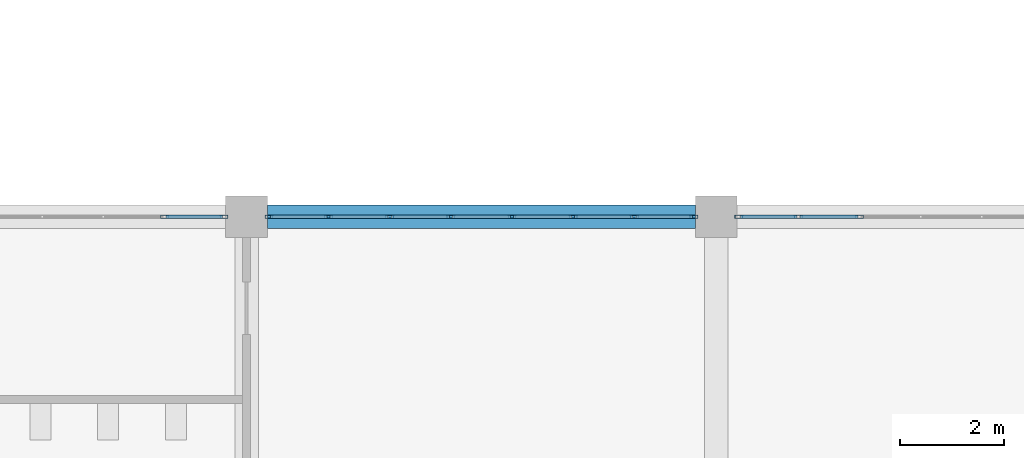
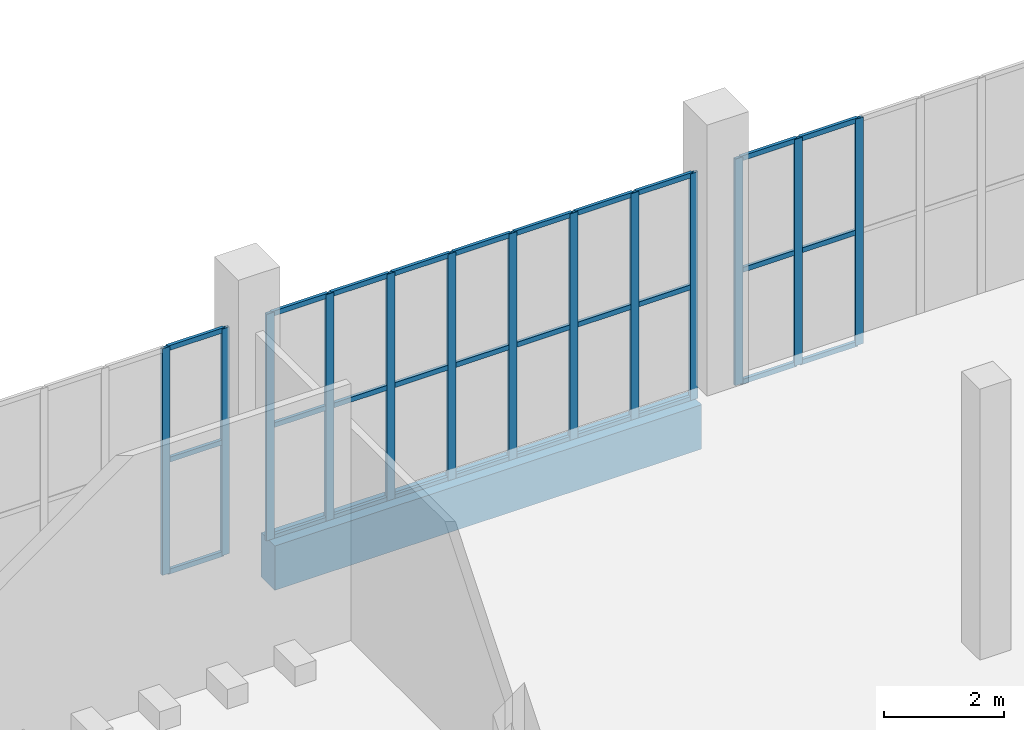
# One storey, part 33 of 185: 43 members, 1 beam, 3 elements without a shape of their own.
"""IFC4 building model written with IfcOpenShell, lengths in metres."""

from ifc_helpers import new_model, si_unit, direction, frame, origin, origin_2d, place, context, subcontext, project, spatial, rectangle, hollow_rectangle, extrude, material, layer, layer_set, material_profile, profile_set, type_object, element, aggregate, save


model = new_model("IFC4")

# Units and contexts
model_context = context("Model", 3, precision=1e-05, world=origin(), true_north=direction((0.0, 1.0)))
body_context = subcontext(model_context, "Body", "Model", "MODEL_VIEW")
ifc_project = project(units=[si_unit("LENGTHUNIT", "METRE"), si_unit("AREAUNIT", "SQUARE_METRE"), si_unit("VOLUMEUNIT", "CUBIC_METRE"), si_unit("PLANEANGLEUNIT", "RADIAN"), si_unit("MASSUNIT", "GRAM", prefix="KILO")], contexts=[model_context])

# Site, building, storey
site_placement = place(None, origin())
site = spatial("IfcSite", under=ifc_project, at=site_placement, CompositionType="ELEMENT")
building_placement = place(site_placement, origin())
building = spatial("IfcBuilding", under=site, at=building_placement, Name="Opaline Strait Convention Centre", CompositionType="ELEMENT")
storey_placement = place(building_placement, frame((0.0, 0.0, 6.0)))
storey = spatial("IfcBuildingStorey", under=building, at=storey_placement, Name="L01", CompositionType="ELEMENT", Elevation=6.0)

# Curtain wall, members
ifc_material_1 = material(Name="Aluminium framed double glazing", Category="aluminium")
ifc_layer = layer(ifc_material_1, 0.199951171875)
ifc_layer_set = layer_set([ifc_layer], Name="Aluminium framed double glazing")
curtain_wall_type = type_object("IfcCurtainWallType", Name="Curtain wall 1250", PredefinedType="NOTDEFINED", material=ifc_layer_set)
curtain_wall_1_placement = place(storey_placement, origin())
curtain_wall_1 = element("IfcCurtainWall", 1, at=curtain_wall_1_placement, inside=storey, type_object=curtain_wall_type, Name="Curtain wall N-18-L01", PredefinedType="NOTDEFINED")
ifc_material_2 = material(Name="Aluminium alloy 6063", Category="aluminium")
ifc_material_profile_1 = material_profile(ifc_material_2, hollow_rectangle(XDim=0.06005859375, YDim=0.14990234375, WallThickness=0.00390625, at=origin_2d()), Name="MULLION 60x150x4")
ifc_profile_set_1 = profile_set([ifc_material_profile_1], Name="Aluminium alloy 6063")
member_type_1 = type_object("IfcMemberType", Name="Curtain wall mullion 60 x 150", PredefinedType="MULLION", material=ifc_profile_set_1)
member_1_placement = place(storey_placement, frame((25.4287109375, 180.0, -0.280029296875), z_axis=(0.0, 0.0, 1.0), x_axis=(0.0, 1.0, 0.0)))
member_1 = element("IfcMember", 2, at=member_1_placement, type_object=member_type_1, Name="PCW mullion 7", PredefinedType="MULLION", context=body_context, shape_type="SweptSolid", body=[
    extrude(hollow_rectangle(XDim=0.06005859375, YDim=0.14990234375, WallThickness=0.00390625, at=origin_2d()), origin(), (0.0, 0.0, 1.0), 4.60009765625),
])
member_2_placement = place(storey_placement, frame((26.570068359375, 180.0, -0.280029296875), z_axis=(0.0, 0.0, 1.0), x_axis=(0.0, 1.0, 0.0)))
member_2 = element("IfcMember", 3, at=member_2_placement, type_object=member_type_1, Name="PCW mullion 8", PredefinedType="MULLION", context=body_context, shape_type="SweptSolid", body=[
    extrude(hollow_rectangle(XDim=0.06005859375, YDim=0.14990234375, WallThickness=0.00390625, at=origin_2d()), origin(), (0.0, 0.0, 1.0), 4.60009765625),
])

curtain_wall_2_placement = place(storey_placement, origin())
curtain_wall_2 = element("IfcCurtainWall", 4, at=curtain_wall_2_placement, inside=storey, type_object=curtain_wall_type, Name="Curtain wall N-27-L01", PredefinedType="NOTDEFINED")
member_3_placement = place(storey_placement, frame((27.429931640625, 180.0, -0.280029296875), z_axis=(0.0, 0.0, 1.0), x_axis=(0.0, 1.0, 0.0)))
member_3 = element("IfcMember", 5, at=member_3_placement, type_object=member_type_1, Name="PCW mullion 1", PredefinedType="MULLION", context=body_context, shape_type="SweptSolid", body=[
    extrude(hollow_rectangle(XDim=0.06005859375, YDim=0.14990234375, WallThickness=0.00390625, at=origin_2d()), origin(), (0.0, 0.0, 1.0), 4.60009765625),
])
member_4_placement = place(storey_placement, frame((28.5712890625, 180.0, -0.280029296875), z_axis=(0.0, 0.0, 1.0), x_axis=(0.0, 1.0, 0.0)))
member_4 = element("IfcMember", 6, at=member_4_placement, type_object=member_type_1, Name="PCW mullion 2", PredefinedType="MULLION", context=body_context, shape_type="SweptSolid", body=[
    extrude(hollow_rectangle(XDim=0.06005859375, YDim=0.14990234375, WallThickness=0.00390625, at=origin_2d()), origin(), (0.0, 0.0, 1.0), 4.60009765625),
])
member_5_placement = place(storey_placement, frame((29.742919921875, 180.0, -0.280029296875), z_axis=(0.0, 0.0, 1.0), x_axis=(0.0, 1.0, 0.0)))
member_5 = element("IfcMember", 7, at=member_5_placement, type_object=member_type_1, Name="PCW mullion 3", PredefinedType="MULLION", context=body_context, shape_type="SweptSolid", body=[
    extrude(hollow_rectangle(XDim=0.06005859375, YDim=0.14990234375, WallThickness=0.00390625, at=origin_2d()), origin(), (0.0, 0.0, 1.0), 4.60009765625),
])
member_6_placement = place(storey_placement, frame((30.914306640625, 180.0, -0.280029296875), z_axis=(0.0, 0.0, 1.0), x_axis=(0.0, 1.0, 0.0)))
member_6 = element("IfcMember", 8, at=member_6_placement, type_object=member_type_1, Name="PCW mullion 4", PredefinedType="MULLION", context=body_context, shape_type="SweptSolid", body=[
    extrude(hollow_rectangle(XDim=0.06005859375, YDim=0.14990234375, WallThickness=0.00390625, at=origin_2d()), origin(), (0.0, 0.0, 1.0), 4.60009765625),
])
member_7_placement = place(storey_placement, frame((32.085693359375, 180.0, -0.280029296875), z_axis=(0.0, 0.0, 1.0), x_axis=(0.0, 1.0, 0.0)))
member_7 = element("IfcMember", 9, at=member_7_placement, type_object=member_type_1, Name="PCW mullion 5", PredefinedType="MULLION", context=body_context, shape_type="SweptSolid", body=[
    extrude(hollow_rectangle(XDim=0.06005859375, YDim=0.14990234375, WallThickness=0.00390625, at=origin_2d()), origin(), (0.0, 0.0, 1.0), 4.60009765625),
])
member_8_placement = place(storey_placement, frame((33.257080078125, 180.0, -0.280029296875), z_axis=(0.0, 0.0, 1.0), x_axis=(0.0, 1.0, 0.0)))
member_8 = element("IfcMember", 10, at=member_8_placement, type_object=member_type_1, Name="PCW mullion 6", PredefinedType="MULLION", context=body_context, shape_type="SweptSolid", body=[
    extrude(hollow_rectangle(XDim=0.06005859375, YDim=0.14990234375, WallThickness=0.00390625, at=origin_2d()), origin(), (0.0, 0.0, 1.0), 4.60009765625),
])
member_9_placement = place(storey_placement, frame((34.4287109375, 180.0, -0.280029296875), z_axis=(0.0, 0.0, 1.0), x_axis=(0.0, 1.0, 0.0)))
member_9 = element("IfcMember", 11, at=member_9_placement, type_object=member_type_1, Name="PCW mullion 7", PredefinedType="MULLION", context=body_context, shape_type="SweptSolid", body=[
    extrude(hollow_rectangle(XDim=0.06005859375, YDim=0.14990234375, WallThickness=0.00390625, at=origin_2d()), origin(), (0.0, 0.0, 1.0), 4.60009765625),
])
member_10_placement = place(storey_placement, frame((35.570068359375, 180.0, -0.280029296875), z_axis=(0.0, 0.0, 1.0), x_axis=(0.0, 1.0, 0.0)))
member_10 = element("IfcMember", 12, at=member_10_placement, type_object=member_type_1, Name="PCW mullion 8", PredefinedType="MULLION", context=body_context, shape_type="SweptSolid", body=[
    extrude(hollow_rectangle(XDim=0.06005859375, YDim=0.14990234375, WallThickness=0.00390625, at=origin_2d()), origin(), (0.0, 0.0, 1.0), 4.60009765625),
])

curtain_wall_3_placement = place(storey_placement, origin())
curtain_wall_3 = element("IfcCurtainWall", 13, at=curtain_wall_3_placement, inside=storey, type_object=curtain_wall_type, Name="Curtain wall N-36-L01", PredefinedType="NOTDEFINED")
member_11_placement = place(storey_placement, frame((36.429931640625, 180.0, -0.280029296875), z_axis=(0.0, 0.0, 1.0), x_axis=(0.0, 1.0, 0.0)))
member_11 = element("IfcMember", 14, at=member_11_placement, type_object=member_type_1, Name="PCW mullion 1", PredefinedType="MULLION", context=body_context, shape_type="SweptSolid", body=[
    extrude(hollow_rectangle(XDim=0.06005859375, YDim=0.14990234375, WallThickness=0.00390625, at=origin_2d()), origin(), (0.0, 0.0, 1.0), 4.60009765625),
])
member_12_placement = place(storey_placement, frame((37.5712890625, 180.0, -0.280029296875), z_axis=(0.0, 0.0, 1.0), x_axis=(0.0, 1.0, 0.0)))
member_12 = element("IfcMember", 15, at=member_12_placement, type_object=member_type_1, Name="PCW mullion 2", PredefinedType="MULLION", context=body_context, shape_type="SweptSolid", body=[
    extrude(hollow_rectangle(XDim=0.06005859375, YDim=0.14990234375, WallThickness=0.00390625, at=origin_2d()), origin(), (0.0, 0.0, 1.0), 4.60009765625),
])
member_13_placement = place(storey_placement, frame((38.742919921875, 180.0, -0.280029296875), z_axis=(0.0, 0.0, 1.0), x_axis=(0.0, 1.0, 0.0)))
member_13 = element("IfcMember", 16, at=member_13_placement, type_object=member_type_1, Name="PCW mullion 3", PredefinedType="MULLION", context=body_context, shape_type="SweptSolid", body=[
    extrude(hollow_rectangle(XDim=0.06005859375, YDim=0.14990234375, WallThickness=0.00390625, at=origin_2d()), origin(), (0.0, 0.0, 1.0), 4.60009765625),
])

# Member
ifc_material_profile_2 = material_profile(ifc_material_2, hollow_rectangle(XDim=0.06005859375, YDim=0.10009765625, WallThickness=0.0029296875, at=origin_2d()), Name="TRANSOM 60x100x3")
ifc_profile_set_2 = profile_set([ifc_material_profile_2], Name="Aluminium alloy 6063")
member_type_2 = type_object("IfcMemberType", Name="Curtain wall transom 60 x 100", PredefinedType="USERDEFINED", material=ifc_profile_set_2)
member_14_placement = place(storey_placement, frame((25.458740234375, 180.0, -0.25), z_axis=(1.0, 0.0, 0.0), x_axis=(0.0, 1.0, 0.0)))
member_14 = element("IfcMember", 17, at=member_14_placement, type_object=member_type_2, Name="PCW transom 7.1", ObjectType="TRANSOM", PredefinedType="USERDEFINED", context=body_context, shape_type="SweptSolid", body=[
    extrude(hollow_rectangle(XDim=0.06005859375, YDim=0.10009765625, WallThickness=0.0029296875, at=origin_2d()), origin(), (0.0, 0.0, 1.0), 1.081298828125),
])

member_15_placement = place(storey_placement, frame((25.458740234375, 180.0, 2.02001953125), z_axis=(1.0, 0.0, 0.0), x_axis=(0.0, 1.0, 0.0)))
member_15 = element("IfcMember", 18, at=member_15_placement, type_object=member_type_2, Name="PCW transom 7.2", ObjectType="TRANSOM", PredefinedType="USERDEFINED", context=body_context, shape_type="SweptSolid", body=[
    extrude(hollow_rectangle(XDim=0.06005859375, YDim=0.10009765625, WallThickness=0.0029296875, at=origin_2d()), origin(), (0.0, 0.0, 1.0), 1.081298828125),
])

member_16_placement = place(storey_placement, frame((25.458740234375, 180.0, 4.2900390625), z_axis=(1.0, 0.0, 0.0), x_axis=(0.0, 1.0, 0.0)))
member_16 = element("IfcMember", 19, at=member_16_placement, type_object=member_type_2, Name="PCW transom 7.3", ObjectType="TRANSOM", PredefinedType="USERDEFINED", context=body_context, shape_type="SweptSolid", body=[
    extrude(hollow_rectangle(XDim=0.06005859375, YDim=0.10009765625, WallThickness=0.0029296875, at=origin_2d()), origin(), (0.0, 0.0, 1.0), 1.081298828125),
])

aggregate(curtain_wall_1, [member_1, member_2, member_14, member_15, member_16])

member_17_placement = place(storey_placement, frame((27.4599609375, 180.0, -0.25), z_axis=(1.0, 0.0, 0.0), x_axis=(0.0, 1.0, 0.0)))
member_17 = element("IfcMember", 20, at=member_17_placement, type_object=member_type_2, Name="PCW transom 1.1", ObjectType="TRANSOM", PredefinedType="USERDEFINED", context=body_context, shape_type="SweptSolid", body=[
    extrude(hollow_rectangle(XDim=0.06005859375, YDim=0.10009765625, WallThickness=0.0029296875, at=origin_2d()), origin(), (0.0, 0.0, 1.0), 1.081298828125),
])

member_18_placement = place(storey_placement, frame((27.4599609375, 180.0, 2.02001953125), z_axis=(1.0, 0.0, 0.0), x_axis=(0.0, 1.0, 0.0)))
member_18 = element("IfcMember", 21, at=member_18_placement, type_object=member_type_2, Name="PCW transom 1.2", ObjectType="TRANSOM", PredefinedType="USERDEFINED", context=body_context, shape_type="SweptSolid", body=[
    extrude(hollow_rectangle(XDim=0.06005859375, YDim=0.10009765625, WallThickness=0.0029296875, at=origin_2d()), origin(), (0.0, 0.0, 1.0), 1.081298828125),
])

member_19_placement = place(storey_placement, frame((27.4599609375, 180.0, 4.2900390625), z_axis=(1.0, 0.0, 0.0), x_axis=(0.0, 1.0, 0.0)))
member_19 = element("IfcMember", 22, at=member_19_placement, type_object=member_type_2, Name="PCW transom 1.3", ObjectType="TRANSOM", PredefinedType="USERDEFINED", context=body_context, shape_type="SweptSolid", body=[
    extrude(hollow_rectangle(XDim=0.06005859375, YDim=0.10009765625, WallThickness=0.0029296875, at=origin_2d()), origin(), (0.0, 0.0, 1.0), 1.081298828125),
])

member_20_placement = place(storey_placement, frame((28.601318359375, 180.0, -0.25), z_axis=(1.0, 0.0, 0.0), x_axis=(0.0, 1.0, 0.0)))
member_20 = element("IfcMember", 23, at=member_20_placement, type_object=member_type_2, Name="PCW transom 2.1", ObjectType="TRANSOM", PredefinedType="USERDEFINED", context=body_context, shape_type="SweptSolid", body=[
    extrude(hollow_rectangle(XDim=0.06005859375, YDim=0.10009765625, WallThickness=0.0029296875, at=origin_2d()), origin(), (0.0, 0.0, 1.0), 1.111572265625),
])

member_21_placement = place(storey_placement, frame((28.601318359375, 180.0, 2.02001953125), z_axis=(1.0, 0.0, 0.0), x_axis=(0.0, 1.0, 0.0)))
member_21 = element("IfcMember", 24, at=member_21_placement, type_object=member_type_2, Name="PCW transom 2.2", ObjectType="TRANSOM", PredefinedType="USERDEFINED", context=body_context, shape_type="SweptSolid", body=[
    extrude(hollow_rectangle(XDim=0.06005859375, YDim=0.10009765625, WallThickness=0.0029296875, at=origin_2d()), origin(), (0.0, 0.0, 1.0), 1.111572265625),
])

member_22_placement = place(storey_placement, frame((28.601318359375, 180.0, 4.2900390625), z_axis=(1.0, 0.0, 0.0), x_axis=(0.0, 1.0, 0.0)))
member_22 = element("IfcMember", 25, at=member_22_placement, type_object=member_type_2, Name="PCW transom 2.3", ObjectType="TRANSOM", PredefinedType="USERDEFINED", context=body_context, shape_type="SweptSolid", body=[
    extrude(hollow_rectangle(XDim=0.06005859375, YDim=0.10009765625, WallThickness=0.0029296875, at=origin_2d()), origin(), (0.0, 0.0, 1.0), 1.111572265625),
])

member_23_placement = place(storey_placement, frame((29.772705078125, 180.0, -0.25), z_axis=(1.0, 0.0, 0.0), x_axis=(0.0, 1.0, 0.0)))
member_23 = element("IfcMember", 26, at=member_23_placement, type_object=member_type_2, Name="PCW transom 3.1", ObjectType="TRANSOM", PredefinedType="USERDEFINED", context=body_context, shape_type="SweptSolid", body=[
    extrude(hollow_rectangle(XDim=0.06005859375, YDim=0.10009765625, WallThickness=0.0029296875, at=origin_2d()), origin(), (0.0, 0.0, 1.0), 1.111572265625),
])

member_24_placement = place(storey_placement, frame((29.772705078125, 180.0, 2.02001953125), z_axis=(1.0, 0.0, 0.0), x_axis=(0.0, 1.0, 0.0)))
member_24 = element("IfcMember", 27, at=member_24_placement, type_object=member_type_2, Name="PCW transom 3.2", ObjectType="TRANSOM", PredefinedType="USERDEFINED", context=body_context, shape_type="SweptSolid", body=[
    extrude(hollow_rectangle(XDim=0.06005859375, YDim=0.10009765625, WallThickness=0.0029296875, at=origin_2d()), origin(), (0.0, 0.0, 1.0), 1.111572265625),
])

member_25_placement = place(storey_placement, frame((29.772705078125, 180.0, 4.2900390625), z_axis=(1.0, 0.0, 0.0), x_axis=(0.0, 1.0, 0.0)))
member_25 = element("IfcMember", 28, at=member_25_placement, type_object=member_type_2, Name="PCW transom 3.3", ObjectType="TRANSOM", PredefinedType="USERDEFINED", context=body_context, shape_type="SweptSolid", body=[
    extrude(hollow_rectangle(XDim=0.06005859375, YDim=0.10009765625, WallThickness=0.0029296875, at=origin_2d()), origin(), (0.0, 0.0, 1.0), 1.111572265625),
])

member_26_placement = place(storey_placement, frame((30.9443359375, 180.0, -0.25), z_axis=(1.0, 0.0, 0.0), x_axis=(0.0, 1.0, 0.0)))
member_26 = element("IfcMember", 29, at=member_26_placement, type_object=member_type_2, Name="PCW transom 4.1", ObjectType="TRANSOM", PredefinedType="USERDEFINED", context=body_context, shape_type="SweptSolid", body=[
    extrude(hollow_rectangle(XDim=0.06005859375, YDim=0.10009765625, WallThickness=0.0029296875, at=origin_2d()), origin(), (0.0, 0.0, 1.0), 1.111328125),
])

member_27_placement = place(storey_placement, frame((30.9443359375, 180.0, 2.02001953125), z_axis=(1.0, 0.0, 0.0), x_axis=(0.0, 1.0, 0.0)))
member_27 = element("IfcMember", 30, at=member_27_placement, type_object=member_type_2, Name="PCW transom 4.2", ObjectType="TRANSOM", PredefinedType="USERDEFINED", context=body_context, shape_type="SweptSolid", body=[
    extrude(hollow_rectangle(XDim=0.06005859375, YDim=0.10009765625, WallThickness=0.0029296875, at=origin_2d()), origin(), (0.0, 0.0, 1.0), 1.111328125),
])

member_28_placement = place(storey_placement, frame((30.9443359375, 180.0, 4.2900390625), z_axis=(1.0, 0.0, 0.0), x_axis=(0.0, 1.0, 0.0)))
member_28 = element("IfcMember", 31, at=member_28_placement, type_object=member_type_2, Name="PCW transom 4.3", ObjectType="TRANSOM", PredefinedType="USERDEFINED", context=body_context, shape_type="SweptSolid", body=[
    extrude(hollow_rectangle(XDim=0.06005859375, YDim=0.10009765625, WallThickness=0.0029296875, at=origin_2d()), origin(), (0.0, 0.0, 1.0), 1.111328125),
])

member_29_placement = place(storey_placement, frame((32.11572265625, 180.0, -0.25), z_axis=(1.0, 0.0, 0.0), x_axis=(0.0, 1.0, 0.0)))
member_29 = element("IfcMember", 32, at=member_29_placement, type_object=member_type_2, Name="PCW transom 5.1", ObjectType="TRANSOM", PredefinedType="USERDEFINED", context=body_context, shape_type="SweptSolid", body=[
    extrude(hollow_rectangle(XDim=0.06005859375, YDim=0.10009765625, WallThickness=0.0029296875, at=origin_2d()), origin(), (0.0, 0.0, 1.0), 1.111572265625),
])

member_30_placement = place(storey_placement, frame((32.11572265625, 180.0, 2.02001953125), z_axis=(1.0, 0.0, 0.0), x_axis=(0.0, 1.0, 0.0)))
member_30 = element("IfcMember", 33, at=member_30_placement, type_object=member_type_2, Name="PCW transom 5.2", ObjectType="TRANSOM", PredefinedType="USERDEFINED", context=body_context, shape_type="SweptSolid", body=[
    extrude(hollow_rectangle(XDim=0.06005859375, YDim=0.10009765625, WallThickness=0.0029296875, at=origin_2d()), origin(), (0.0, 0.0, 1.0), 1.111572265625),
])

member_31_placement = place(storey_placement, frame((32.11572265625, 180.0, 4.2900390625), z_axis=(1.0, 0.0, 0.0), x_axis=(0.0, 1.0, 0.0)))
member_31 = element("IfcMember", 34, at=member_31_placement, type_object=member_type_2, Name="PCW transom 5.3", ObjectType="TRANSOM", PredefinedType="USERDEFINED", context=body_context, shape_type="SweptSolid", body=[
    extrude(hollow_rectangle(XDim=0.06005859375, YDim=0.10009765625, WallThickness=0.0029296875, at=origin_2d()), origin(), (0.0, 0.0, 1.0), 1.111572265625),
])

member_32_placement = place(storey_placement, frame((33.287109375, 180.0, -0.25), z_axis=(1.0, 0.0, 0.0), x_axis=(0.0, 1.0, 0.0)))
member_32 = element("IfcMember", 35, at=member_32_placement, type_object=member_type_2, Name="PCW transom 6.1", ObjectType="TRANSOM", PredefinedType="USERDEFINED", context=body_context, shape_type="SweptSolid", body=[
    extrude(hollow_rectangle(XDim=0.06005859375, YDim=0.10009765625, WallThickness=0.0029296875, at=origin_2d()), origin(), (0.0, 0.0, 1.0), 1.111572265625),
])

member_33_placement = place(storey_placement, frame((33.287109375, 180.0, 2.02001953125), z_axis=(1.0, 0.0, 0.0), x_axis=(0.0, 1.0, 0.0)))
member_33 = element("IfcMember", 36, at=member_33_placement, type_object=member_type_2, Name="PCW transom 6.2", ObjectType="TRANSOM", PredefinedType="USERDEFINED", context=body_context, shape_type="SweptSolid", body=[
    extrude(hollow_rectangle(XDim=0.06005859375, YDim=0.10009765625, WallThickness=0.0029296875, at=origin_2d()), origin(), (0.0, 0.0, 1.0), 1.111572265625),
])

member_34_placement = place(storey_placement, frame((33.287109375, 180.0, 4.2900390625), z_axis=(1.0, 0.0, 0.0), x_axis=(0.0, 1.0, 0.0)))
member_34 = element("IfcMember", 37, at=member_34_placement, type_object=member_type_2, Name="PCW transom 6.3", ObjectType="TRANSOM", PredefinedType="USERDEFINED", context=body_context, shape_type="SweptSolid", body=[
    extrude(hollow_rectangle(XDim=0.06005859375, YDim=0.10009765625, WallThickness=0.0029296875, at=origin_2d()), origin(), (0.0, 0.0, 1.0), 1.111572265625),
])

member_35_placement = place(storey_placement, frame((34.458740234375, 180.0, -0.25), z_axis=(1.0, 0.0, 0.0), x_axis=(0.0, 1.0, 0.0)))
member_35 = element("IfcMember", 38, at=member_35_placement, type_object=member_type_2, Name="PCW transom 7.1", ObjectType="TRANSOM", PredefinedType="USERDEFINED", context=body_context, shape_type="SweptSolid", body=[
    extrude(hollow_rectangle(XDim=0.06005859375, YDim=0.10009765625, WallThickness=0.0029296875, at=origin_2d()), origin(), (0.0, 0.0, 1.0), 1.081298828125),
])

member_36_placement = place(storey_placement, frame((34.458740234375, 180.0, 2.02001953125), z_axis=(1.0, 0.0, 0.0), x_axis=(0.0, 1.0, 0.0)))
member_36 = element("IfcMember", 39, at=member_36_placement, type_object=member_type_2, Name="PCW transom 7.2", ObjectType="TRANSOM", PredefinedType="USERDEFINED", context=body_context, shape_type="SweptSolid", body=[
    extrude(hollow_rectangle(XDim=0.06005859375, YDim=0.10009765625, WallThickness=0.0029296875, at=origin_2d()), origin(), (0.0, 0.0, 1.0), 1.081298828125),
])

member_37_placement = place(storey_placement, frame((34.458740234375, 180.0, 4.2900390625), z_axis=(1.0, 0.0, 0.0), x_axis=(0.0, 1.0, 0.0)))
member_37 = element("IfcMember", 40, at=member_37_placement, type_object=member_type_2, Name="PCW transom 7.3", ObjectType="TRANSOM", PredefinedType="USERDEFINED", context=body_context, shape_type="SweptSolid", body=[
    extrude(hollow_rectangle(XDim=0.06005859375, YDim=0.10009765625, WallThickness=0.0029296875, at=origin_2d()), origin(), (0.0, 0.0, 1.0), 1.081298828125),
])

aggregate(curtain_wall_2, [member_3, member_4, member_5, member_6, member_7, member_8, member_9, member_10, member_17, member_18, member_19, member_20, member_21, member_22, member_23, member_24, member_25, member_26, member_27, member_28, member_29, member_30, member_31, member_32, member_33, member_34, member_35, member_36, member_37])

member_38_placement = place(storey_placement, frame((36.4599609375, 180.0, -0.25), z_axis=(1.0, 0.0, 0.0), x_axis=(0.0, 1.0, 0.0)))
member_38 = element("IfcMember", 41, at=member_38_placement, type_object=member_type_2, Name="PCW transom 1.1", ObjectType="TRANSOM", PredefinedType="USERDEFINED", context=body_context, shape_type="SweptSolid", body=[
    extrude(hollow_rectangle(XDim=0.06005859375, YDim=0.10009765625, WallThickness=0.0029296875, at=origin_2d()), origin(), (0.0, 0.0, 1.0), 1.081298828125),
])

member_39_placement = place(storey_placement, frame((36.4599609375, 180.0, 2.02001953125), z_axis=(1.0, 0.0, 0.0), x_axis=(0.0, 1.0, 0.0)))
member_39 = element("IfcMember", 42, at=member_39_placement, type_object=member_type_2, Name="PCW transom 1.2", ObjectType="TRANSOM", PredefinedType="USERDEFINED", context=body_context, shape_type="SweptSolid", body=[
    extrude(hollow_rectangle(XDim=0.06005859375, YDim=0.10009765625, WallThickness=0.0029296875, at=origin_2d()), origin(), (0.0, 0.0, 1.0), 1.081298828125),
])

member_40_placement = place(storey_placement, frame((36.4599609375, 180.0, 4.2900390625), z_axis=(1.0, 0.0, 0.0), x_axis=(0.0, 1.0, 0.0)))
member_40 = element("IfcMember", 43, at=member_40_placement, type_object=member_type_2, Name="PCW transom 1.3", ObjectType="TRANSOM", PredefinedType="USERDEFINED", context=body_context, shape_type="SweptSolid", body=[
    extrude(hollow_rectangle(XDim=0.06005859375, YDim=0.10009765625, WallThickness=0.0029296875, at=origin_2d()), origin(), (0.0, 0.0, 1.0), 1.081298828125),
])

member_41_placement = place(storey_placement, frame((37.601318359375, 180.0, -0.25), z_axis=(1.0, 0.0, 0.0), x_axis=(0.0, 1.0, 0.0)))
member_41 = element("IfcMember", 44, at=member_41_placement, type_object=member_type_2, Name="PCW transom 2.1", ObjectType="TRANSOM", PredefinedType="USERDEFINED", context=body_context, shape_type="SweptSolid", body=[
    extrude(hollow_rectangle(XDim=0.06005859375, YDim=0.10009765625, WallThickness=0.0029296875, at=origin_2d()), origin(), (0.0, 0.0, 1.0), 1.111572265625),
])

member_42_placement = place(storey_placement, frame((37.601318359375, 180.0, 2.02001953125), z_axis=(1.0, 0.0, 0.0), x_axis=(0.0, 1.0, 0.0)))
member_42 = element("IfcMember", 45, at=member_42_placement, type_object=member_type_2, Name="PCW transom 2.2", ObjectType="TRANSOM", PredefinedType="USERDEFINED", context=body_context, shape_type="SweptSolid", body=[
    extrude(hollow_rectangle(XDim=0.06005859375, YDim=0.10009765625, WallThickness=0.0029296875, at=origin_2d()), origin(), (0.0, 0.0, 1.0), 1.111572265625),
])

member_43_placement = place(storey_placement, frame((37.601318359375, 180.0, 4.2900390625), z_axis=(1.0, 0.0, 0.0), x_axis=(0.0, 1.0, 0.0)))
member_43 = element("IfcMember", 46, at=member_43_placement, type_object=member_type_2, Name="PCW transom 2.3", ObjectType="TRANSOM", PredefinedType="USERDEFINED", context=body_context, shape_type="SweptSolid", body=[
    extrude(hollow_rectangle(XDim=0.06005859375, YDim=0.10009765625, WallThickness=0.0029296875, at=origin_2d()), origin(), (0.0, 0.0, 1.0), 1.111572265625),
])

aggregate(curtain_wall_3, [member_11, member_12, member_13, member_38, member_39, member_40, member_41, member_42, member_43])

# Beam
ifc_material_3 = material(Name="Concrete C35", Category="concrete")
ifc_material_profile_3 = material_profile(ifc_material_3, rectangle(XDim=0.449951171875, YDim=0.89990234375, at=origin_2d()), Name="RC 450x900")
ifc_profile_set_3 = profile_set([ifc_material_profile_3], Name="Concrete C35")
beam_type = type_object("IfcBeamType", Name="RC floor beam 450x900 C35", PredefinedType="BEAM", material=ifc_profile_set_3)
beam_placement = place(storey_placement, frame((27.39990234375, 180.0, -0.72998046875), z_axis=(1.0, 0.0, 0.0), x_axis=(0.0, 1.0, 0.0)))
element("IfcBeam", 47, at=beam_placement, inside=storey, type_object=beam_type, Name="PFB1 L01 beam 4/W-5/W", PredefinedType="BEAM", context=body_context, shape_type="SweptSolid", body=[
    extrude(rectangle(XDim=0.449951171875, YDim=0.89990234375, at=origin_2d()), origin(), (0.0, 0.0, 1.0), 8.2001953125),
])

save(model, "model.ifc")
